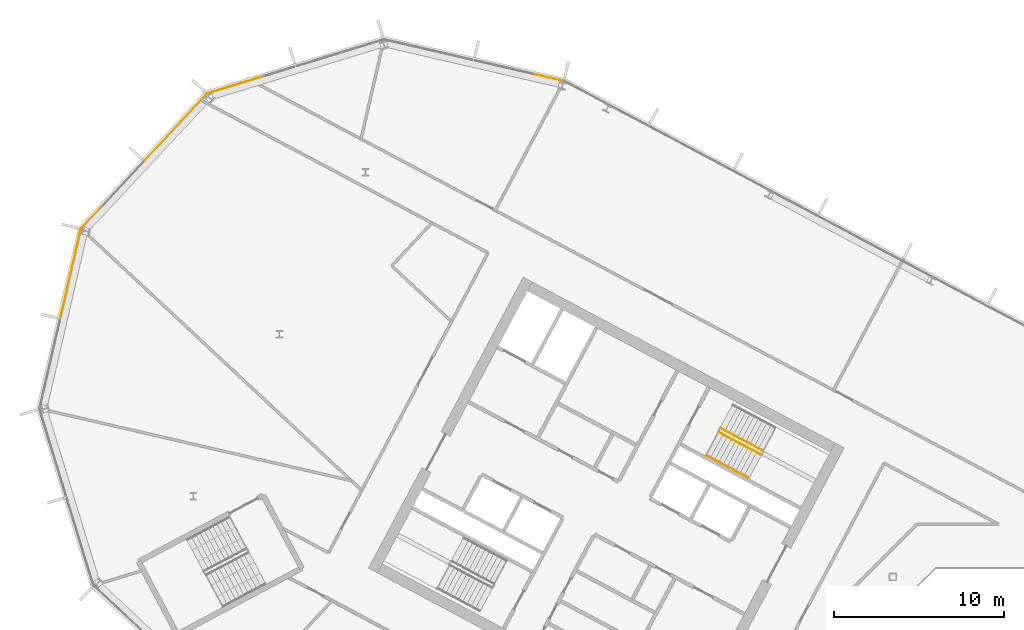
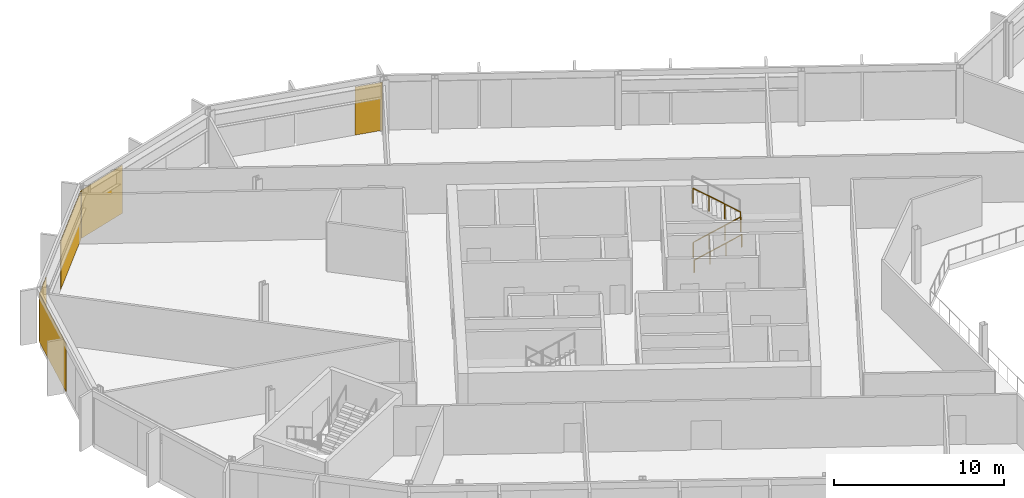
# One storey, part 21 of 26: 5 coverings, 3 railings, 4 elements without a shape of their own.
"""IFC4 building model written with IfcOpenShell, lengths in metres."""

from ifc_helpers import new_model, si_unit, direction, frame, origin, origin_2d, place, context, subcontext, project, spatial, polyline, rectangle, outline, extrude, material, layer, layer_set, type_object, element, aggregate, save


model = new_model("IFC4")

# Units and contexts
model_context = context("Model", 3, precision=1e-05, world=origin(), true_north=direction((0.0, 1.0)))
body_context = subcontext(model_context, "Body", "Model", "MODEL_VIEW")
ifc_project = project(units=[si_unit("LENGTHUNIT", "METRE"), si_unit("AREAUNIT", "SQUARE_METRE"), si_unit("VOLUMEUNIT", "CUBIC_METRE"), si_unit("PLANEANGLEUNIT", "RADIAN"), si_unit("MASSUNIT", "GRAM", prefix="KILO")], contexts=[model_context])

# Site, building, storey
site_placement = place(None, origin())
site = spatial("IfcSite", under=ifc_project, at=site_placement, CompositionType="ELEMENT")
building_placement = place(site_placement, origin())
building = spatial("IfcBuilding", under=site, at=building_placement, Name="Cormorant Relay Tower", CompositionType="ELEMENT")
storey_placement = place(building_placement, frame((0.0, 0.0, 244.199951171875)))
storey = spatial("IfcBuildingStorey", under=building, at=storey_placement, Name="L54", CompositionType="ELEMENT", Elevation=244.199951171875)

# Curtain wall, covering
ifc_material_1 = material(Name="Aluminium 6063-T6 anodised bronze", Category="aluminium")
ifc_layer_1 = layer(ifc_material_1, 0.199951171875)
ifc_layer_set_1 = layer_set([ifc_layer_1], Name="CW1 unitised bronze curtain wall with vertical fins")
curtain_wall_type = type_object("IfcCurtainWallType", Name="CW1 unitised bronze curtain wall with vertical fins", PredefinedType="NOTDEFINED", material=ifc_layer_set_1)
curtain_wall_1_placement = place(storey_placement, origin())
curtain_wall_1 = element("IfcCurtainWall", 1, at=curtain_wall_1_placement, inside=storey, type_object=curtain_wall_type, Name="CW1 curtain wall 10", PredefinedType="NOTDEFINED")
ifc_material_2 = material(Name="Pale bronze anodised aluminium insulated panel", Category="aluminium")
ifc_layer_2 = layer(ifc_material_2, 0.0400390625)
ifc_layer_set_2 = layer_set([ifc_layer_2], Name="CW1 pale bronze insulated panel 40")
covering_type = type_object("IfcCoveringType", Name="CW1 pale bronze insulated panel 40", PredefinedType="CLADDING", material=ifc_layer_set_2)
covering_1_placement = place(storey_placement, frame((-30.76318359375, 39.89404296875, 0.0), z_axis=(0.0, 0.0, 1.0), x_axis=(-0.974370064785, 0.224951054344, 0.0)))
covering_1 = element("IfcCovering", 2, at=covering_1_placement, type_object=covering_type, Name="CW1 panel S00", PredefinedType="CLADDING", context=body_context, shape_type="SweptSolid", body=[
    extrude(rectangle(XDim=1.685302734375, YDim=0.0400390625, at=origin_2d()), origin(), (0.0, 0.0, 1.0), 3.449951171875),
])
aggregate(curtain_wall_1, [covering_1])

curtain_wall_2_placement = place(storey_placement, origin())
curtain_wall_2 = element("IfcCurtainWall", 3, at=curtain_wall_2_placement, inside=storey, type_object=curtain_wall_type, Name="CW1 curtain wall 11", PredefinedType="NOTDEFINED")
covering_2_placement = place(storey_placement, frame((-49.16455078125, 39.474853515625, 0.0), z_axis=(0.0, 0.0, 1.0), x_axis=(-0.956304755963, -0.292371704723, 0.0)))
covering_2 = element("IfcCovering", 4, at=covering_2_placement, type_object=covering_type, Name="CW1 panel S03", PredefinedType="CLADDING", context=body_context, shape_type="SweptSolid", body=[
    extrude(rectangle(XDim=3.560302734375, YDim=0.0400390625, at=origin_2d()), origin(), (0.0, 0.0, 1.0), 3.449951171875),
])
aggregate(curtain_wall_2, [covering_2])

# Curtain wall, coverings
curtain_wall_3_placement = place(storey_placement, origin())
curtain_wall_3 = element("IfcCurtainWall", 5, at=curtain_wall_3_placement, inside=storey, type_object=curtain_wall_type, Name="CW1 curtain wall 12", PredefinedType="NOTDEFINED")
covering_3_placement = place(storey_placement, frame((-52.72900390625, 36.961181640625, 0.0), z_axis=(0.0, 0.0, 1.0), x_axis=(-0.681998360062, -0.731353701619, 0.0)))
covering_3 = element("IfcCovering", 6, at=covering_3_placement, type_object=covering_type, Name="CW1 panel S00", PredefinedType="CLADDING", context=body_context, shape_type="SweptSolid", body=[
    extrude(rectangle(XDim=5.28515625, YDim=0.0400390625, at=origin_2d()), origin(), (0.0, 0.0, 1.0), 3.449951171875),
])
covering_4_placement = place(storey_placement, frame((-57.68896484375, 31.642333984375, 0.0), z_axis=(0.0, 0.0, 1.0), x_axis=(-0.681998360062, -0.731353701619, 0.0)))
covering_4 = element("IfcCovering", 7, at=covering_4_placement, type_object=covering_type, Name="CW1 panel S02", PredefinedType="CLADDING", context=body_context, shape_type="SweptSolid", body=[
    extrude(rectangle(XDim=1.76025390625, YDim=0.0400390625, at=origin_2d()), origin(), (0.0, 0.0, 1.0), 3.449951171875),
])
aggregate(curtain_wall_3, [covering_3, covering_4])

# Curtain wall, covering
curtain_wall_4_placement = place(storey_placement, origin())
curtain_wall_4 = element("IfcCurtainWall", 8, at=curtain_wall_4_placement, inside=storey, type_object=curtain_wall_type, Name="CW1 curtain wall 13", PredefinedType="NOTDEFINED")
covering_5_placement = place(storey_placement, frame((-58.905517578125, 28.341796875, 0.0), z_axis=(0.0, 0.0, 1.0), x_axis=(-0.224951054344, -0.974370064785, 0.0)))
covering_5 = element("IfcCovering", 9, at=covering_5_placement, type_object=covering_type, Name="CW1 panel S00", PredefinedType="CLADDING", context=body_context, shape_type="SweptSolid", body=[
    extrude(rectangle(XDim=5.28515625, YDim=0.0400390625, at=origin_2d()), origin(), (0.0, 0.0, 1.0), 3.449951171875),
])
aggregate(curtain_wall_4, [covering_5])

# Railings
ifc_material_3 = material(Name="Steel ASTM A572 Grade 50 (Fy 345 MPa)", Category="steel")
railing_type_1 = type_object("IfcRailingType", Name="Stair guard 1100", PredefinedType="GUARDRAIL", material=ifc_material_3)
railing_1_placement = place(storey_placement, frame((-20.75048828125, 19.017822265625, 0.17724609375)))
element("IfcRailing", 10, at=railing_1_placement, inside=storey, type_object=railing_type_1, Name="L54 A1 stair guard 1", PredefinedType="GUARDRAIL", context=body_context, shape_type="SweptSolid", body=[
    extrude(outline(polyline([(0.022216796875, 0.00927734375), (0.00927734375, 0.022216796875), (-0.00927734375, 0.022216796875), (-0.022216796875, 0.00927734375), (-0.022216796875, -0.00927734375), (-0.00927734375, -0.022216796875), (0.00927734375, -0.022216796875), (0.022216796875, -0.00927734375), (0.022216796875, 0.00927734375)])), frame((0.0, 0.0, 1.076171875), z_axis=(0.746001213114, -0.396649272309, 0.534931345884), x_axis=(0.469465464807, 0.882950835185, 0.0)), (0.0, 0.0, 1.0), 3.31396484375),
    extrude(outline(polyline([(0.019287109375, 0.008056640625), (0.008056640625, 0.019287109375), (-0.008056640625, 0.019287109375), (-0.019287109375, 0.008056640625), (-0.019287109375, -0.008056640625), (-0.008056640625, -0.019287109375), (0.008056640625, -0.019287109375), (0.019287109375, -0.008056640625), (0.019287109375, 0.008056640625)])), origin(), (0.0, 0.0, 1.0), 1.052001953125),
    extrude(outline(polyline([(0.019287109375, 0.008056640625), (0.008056640625, 0.019287109375), (-0.008056640625, 0.019287109375), (-0.019287109375, 0.008056640625), (-0.019287109375, -0.008056640625), (-0.008056640625, -0.019287109375), (0.008056640625, -0.019287109375), (0.019287109375, -0.008056640625), (0.019287109375, 0.008056640625)])), frame((0.823974609375, -0.438232421875, 0.5908203125)), (0.0, 0.0, 1.0), 1.052001953125),
    extrude(outline(polyline([(0.019287109375, 0.008056640625), (0.008056640625, 0.019287109375), (-0.008056640625, 0.019287109375), (-0.019287109375, 0.008056640625), (-0.019287109375, -0.008056640625), (-0.008056640625, -0.019287109375), (0.008056640625, -0.019287109375), (0.019287109375, -0.008056640625), (0.019287109375, 0.008056640625)])), frame((1.648193359375, -0.876220703125, 1.181884765625)), (0.0, 0.0, 1.0), 1.052001953125),
    extrude(outline(polyline([(0.019287109375, 0.008056640625), (0.008056640625, 0.019287109375), (-0.008056640625, 0.019287109375), (-0.019287109375, 0.008056640625), (-0.019287109375, -0.008056640625), (-0.008056640625, -0.019287109375), (0.008056640625, -0.019287109375), (0.019287109375, -0.008056640625), (0.019287109375, 0.008056640625)])), frame((2.47216796875, -1.314453125, 1.772705078125)), (0.0, 0.0, 1.0), 1.052001953125),
])
railing_2_placement = place(storey_placement, frame((-18.160888671875, 17.924072265625, 2.12744140625)))
element("IfcRailing", 11, at=railing_2_placement, inside=storey, type_object=railing_type_1, Name="L54 A1 stair guard 3", PredefinedType="GUARDRAIL", context=body_context, shape_type="SweptSolid", body=[
    extrude(outline(polyline([(0.022216796875, 0.00927734375), (0.00927734375, 0.022216796875), (-0.00927734375, 0.022216796875), (-0.022216796875, 0.00927734375), (-0.022216796875, -0.00927734375), (-0.00927734375, -0.022216796875), (0.00927734375, -0.022216796875), (0.022216796875, -0.00927734375), (0.022216796875, 0.00927734375)])), frame((0.0, 0.0, 1.076171875), z_axis=(-0.746033882577, 0.396627473466, 0.534901947407), x_axis=(-0.469429322983, -0.882970050864, 0.0)), (0.0, 0.0, 1.0), 3.31396484375),
    extrude(outline(polyline([(0.019287109375, 0.008056640625), (0.008056640625, 0.019287109375), (-0.008056640625, 0.019287109375), (-0.019287109375, 0.008056640625), (-0.019287109375, -0.008056640625), (-0.008056640625, -0.019287109375), (0.008056640625, -0.019287109375), (0.019287109375, -0.008056640625), (0.019287109375, 0.008056640625)])), origin(), (0.0, 0.0, 1.0), 1.052001953125),
    extrude(outline(polyline([(0.019287109375, 0.008056640625), (0.008056640625, 0.019287109375), (-0.008056640625, 0.019287109375), (-0.019287109375, 0.008056640625), (-0.019287109375, -0.008056640625), (-0.008056640625, -0.019287109375), (0.008056640625, -0.019287109375), (0.019287109375, -0.008056640625), (0.019287109375, 0.008056640625)])), frame((-0.82421875, 0.438232421875, 0.5908203125)), (0.0, 0.0, 1.0), 1.052001953125),
    extrude(outline(polyline([(0.019287109375, 0.008056640625), (0.008056640625, 0.019287109375), (-0.008056640625, 0.019287109375), (-0.019287109375, 0.008056640625), (-0.019287109375, -0.008056640625), (-0.008056640625, -0.019287109375), (0.008056640625, -0.019287109375), (0.019287109375, -0.008056640625), (0.019287109375, 0.008056640625)])), frame((-1.648193359375, 0.876220703125, 1.181884765625)), (0.0, 0.0, 1.0), 1.052001953125),
    extrude(outline(polyline([(0.019287109375, 0.008056640625), (0.008056640625, 0.019287109375), (-0.008056640625, 0.019287109375), (-0.019287109375, 0.008056640625), (-0.019287109375, -0.008056640625), (-0.008056640625, -0.019287109375), (0.008056640625, -0.019287109375), (0.019287109375, -0.008056640625), (0.019287109375, 0.008056640625)])), frame((-2.472412109375, 1.314453125, 1.772705078125)), (0.0, 0.0, 1.0), 1.052001953125),
])
ifc_material_4 = material(Name="Steel ASTM A572 Grade 50 (Fy 345 MPa)", Category="steel")
railing_type_2 = type_object("IfcRailingType", Name="Stair handrail 900", PredefinedType="HANDRAIL", material=ifc_material_4)
railing_3_placement = place(storey_placement, frame((-21.478271484375, 17.6494140625, 0.17724609375)))
element("IfcRailing", 12, at=railing_3_placement, inside=storey, type_object=railing_type_2, Name="L54 A1 stair handrail 1", PredefinedType="HANDRAIL", context=body_context, shape_type="SweptSolid", body=[
    extrude(outline(polyline([(0.022216796875, 0.00927734375), (0.00927734375, 0.022216796875), (-0.00927734375, 0.022216796875), (-0.022216796875, 0.00927734375), (-0.022216796875, -0.00927734375), (-0.00927734375, -0.022216796875), (0.00927734375, -0.022216796875), (0.022216796875, -0.00927734375), (0.022216796875, 0.00927734375)])), frame((0.0, 0.0, 0.8759765625), z_axis=(0.746012083385, -0.396689549623, 0.534886317514), x_axis=(0.469497295046, 0.882933910293, 0.0)), (0.0, 0.0, 1.0), 3.314208984375),
    extrude(outline(polyline([(0.019287109375, 0.008056640625), (0.008056640625, 0.019287109375), (-0.008056640625, 0.019287109375), (-0.019287109375, 0.008056640625), (-0.019287109375, -0.008056640625), (-0.008056640625, -0.019287109375), (0.008056640625, -0.019287109375), (0.019287109375, -0.008056640625), (0.019287109375, 0.008056640625)])), origin(), (0.0, 0.0, 1.0), 0.851806640625),
    extrude(outline(polyline([(0.019287109375, 0.008056640625), (0.008056640625, 0.019287109375), (-0.008056640625, 0.019287109375), (-0.019287109375, 0.008056640625), (-0.019287109375, -0.008056640625), (-0.008056640625, -0.019287109375), (0.008056640625, -0.019287109375), (0.019287109375, -0.008056640625), (0.019287109375, 0.008056640625)])), frame((0.82421875, -0.438232421875, 0.5908203125)), (0.0, 0.0, 1.0), 0.851806640625),
    extrude(outline(polyline([(0.019287109375, 0.008056640625), (0.008056640625, 0.019287109375), (-0.008056640625, 0.019287109375), (-0.019287109375, 0.008056640625), (-0.019287109375, -0.008056640625), (-0.008056640625, -0.019287109375), (0.008056640625, -0.019287109375), (0.019287109375, -0.008056640625), (0.019287109375, 0.008056640625)])), frame((1.648193359375, -0.87646484375, 1.181884765625)), (0.0, 0.0, 1.0), 0.851806640625),
    extrude(outline(polyline([(0.019287109375, 0.008056640625), (0.008056640625, 0.019287109375), (-0.008056640625, 0.019287109375), (-0.019287109375, 0.008056640625), (-0.019287109375, -0.008056640625), (-0.008056640625, -0.019287109375), (0.008056640625, -0.019287109375), (0.019287109375, -0.008056640625), (0.019287109375, 0.008056640625)])), frame((2.472412109375, -1.314697265625, 1.772705078125)), (0.0, 0.0, 1.0), 0.851806640625),
])

save(model, "model.ifc")
